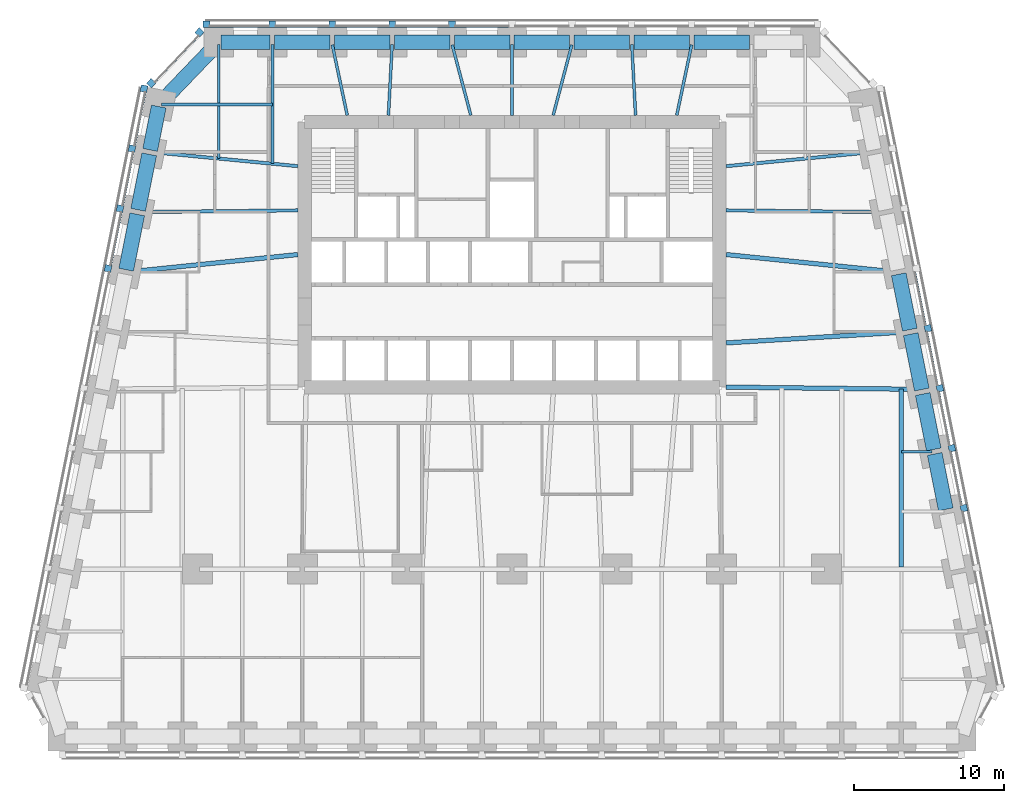
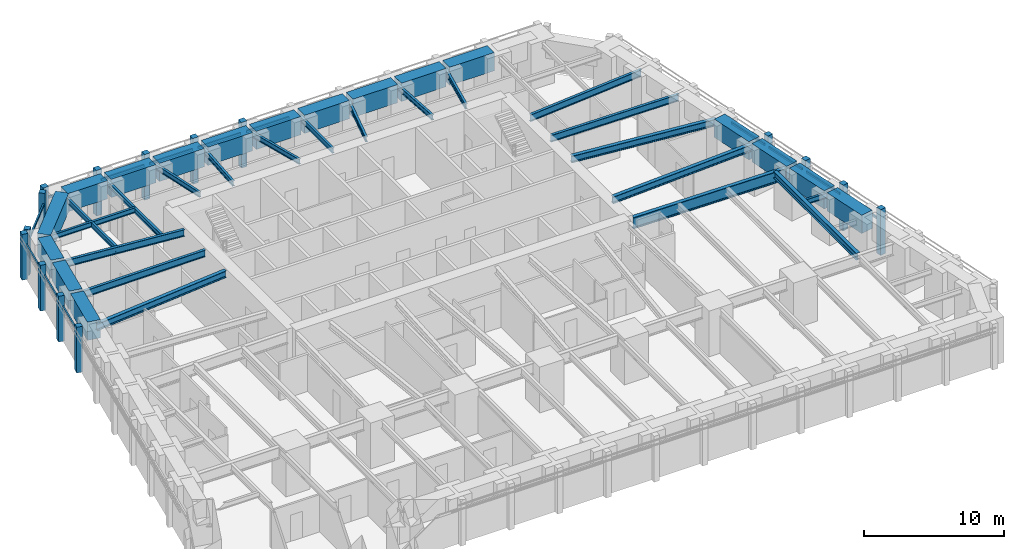
# One storey, part 3 of 10: 37 beams, 28 members, 4 elements without a shape of their own.
"""IFC4 building model written with IfcOpenShell, lengths in metres."""

from ifc_helpers import new_model, si_unit, direction, frame, origin, origin_2d, place, context, subcontext, project, spatial, rectangle, i_section, extrude, material, material_profile, profile_set, type_object, element, aggregate, save


model = new_model("IFC4")

# Units and contexts
model_context = context("Model", 3, precision=1e-05, world=origin(), true_north=direction((0.0, 1.0)))
body_context = subcontext(model_context, "Body", "Model", "MODEL_VIEW")
ifc_project = project(units=[si_unit("LENGTHUNIT", "METRE"), si_unit("AREAUNIT", "SQUARE_METRE"), si_unit("VOLUMEUNIT", "CUBIC_METRE"), si_unit("PLANEANGLEUNIT", "RADIAN"), si_unit("MASSUNIT", "GRAM", prefix="KILO")], contexts=[model_context])

# Site, building, storey
site_placement = place(None, origin())
site = spatial("IfcSite", under=ifc_project, at=site_placement, CompositionType="ELEMENT")
building_placement = place(site_placement, origin())
building = spatial("IfcBuilding", under=site, at=building_placement, Name="Isbrekke Arena Tower", CompositionType="ELEMENT")
storey_placement = place(building_placement, frame((0.0, 0.0, 56.0)))
storey = spatial("IfcBuildingStorey", under=building, at=storey_placement, Name="L11", CompositionType="ELEMENT", Elevation=56.0)

# Beams
ifc_material_1 = material(Name="Steel S355", Category="steel")
ifc_material_profile_1 = material_profile(ifc_material_1, i_section(OverallWidth=0.219970703125, OverallDepth=0.60009765625, WebThickness=0.011962890625, FlangeThickness=0.01904296875, FilletRadius=0.02392578125, at=origin_2d()), Name="IPE 600")
ifc_profile_set_1 = profile_set([ifc_material_profile_1], Name="Steel S355")
beam_type_1 = type_object("IfcBeamType", Name="B1 IPE 600", PredefinedType="BEAM", material=ifc_profile_set_1)
beam_1_placement = place(storey_placement, frame((24.83984375, 17.838134765625, 3.550048828125), z_axis=(-0.999943729589, 0.010608376645, 0.0), x_axis=(-0.010608376645, -0.999943729589, 0.0)))
element("IfcBeam", 1, at=beam_1_placement, inside=storey, type_object=beam_type_1, Name="B1 beam E-E09 L11", PredefinedType="BEAM", context=body_context, shape_type="SweptSolid", body=[
    extrude(i_section(OverallWidth=0.219970703125, OverallDepth=0.60009765625, WebThickness=0.011962890625, FlangeThickness=0.01904296875, FilletRadius=0.02392578125, at=origin_2d()), origin(), (0.0, 0.0, 1.0), 10.540283203125),
])
for number, where, z_axis, x_axis, name in (
    (2, (24.030517578125, 21.837158203125, 3.550048828125), (-0.995393091527, -0.095878012805, 0.0), (0.095878012805, -0.995393091527, 0.0), "B1 beam E-E10 L11"),
    (3, (-24.030517578125, 21.837158203125, 3.550048828125), (0.995393091527, -0.095878012805, 0.0), (0.095878012805, 0.995393091527, 0.0), "B1 beam E-W02 L11"),
):
    element("IfcBeam", number, at=place(storey_placement, frame(where, z_axis=z_axis, x_axis=x_axis)), inside=storey, type_object=beam_type_1, Name=name, PredefinedType="BEAM", context=body_context, shape_type="SweptSolid", body=[
        extrude(i_section(OverallWidth=0.219970703125, OverallDepth=0.60009765625, WebThickness=0.011962890625, FlangeThickness=0.01904296875, FilletRadius=0.02392578125, at=origin_2d()), origin(), (0.0, 0.0, 1.0), 9.775390625),
    ])
beam_2_placement = place(storey_placement, frame((-24.83984375, 17.838134765625, 3.550048828125), z_axis=(0.999943729589, 0.010608376645, 0.0), x_axis=(-0.010608376645, 0.999943729589, 0.0)))
element("IfcBeam", 4, at=beam_2_placement, inside=storey, type_object=beam_type_1, Name="B1 beam E-W03 L11", PredefinedType="BEAM", context=body_context, shape_type="SweptSolid", body=[
    extrude(i_section(OverallWidth=0.219970703125, OverallDepth=0.60009765625, WebThickness=0.011962890625, FlangeThickness=0.01904296875, FilletRadius=0.02392578125, at=origin_2d()), origin(), (0.0, 0.0, 1.0), 10.540283203125),
])
ifc_material_2 = material(Name="Steel S355", Category="steel")
ifc_material_profile_2 = material_profile(ifc_material_2, i_section(OverallWidth=0.18994140625, OverallDepth=0.449951171875, WebThickness=0.009521484375, FlangeThickness=0.0146484375, FilletRadius=0.02099609375, at=origin_2d()), Name="IPE 450")
ifc_profile_set_2 = profile_set([ifc_material_profile_2], Name="Steel S355")
beam_type_2 = type_object("IfcBeamType", Name="B2 IPE 450", PredefinedType="BEAM", material=ifc_profile_set_2)
beam_3_placement = place(storey_placement, frame((28.041015625, 1.838134765625, 3.625), z_axis=(-1.0, 0.0, 0.0), x_axis=(0.0, -1.0, 0.0)))
element("IfcBeam", 5, at=beam_3_placement, inside=storey, type_object=beam_type_2, Name="B2 beam E-E05 L11", PredefinedType="BEAM", context=body_context, shape_type="SweptSolid", body=[
    extrude(i_section(OverallWidth=0.18994140625, OverallDepth=0.449951171875, WebThickness=0.009521484375, FlangeThickness=0.0146484375, FilletRadius=0.02099609375, at=origin_2d()), origin(), (0.0, 0.0, 1.0), 2.041015625),
])
beam_4_placement = place(storey_placement, frame((-23.40283203125, 25.029296875, 3.625), z_axis=(1.0, 0.0, 0.0), x_axis=(0.0, 1.0, 0.0)))
element("IfcBeam", 6, at=beam_4_placement, inside=storey, type_object=beam_type_2, Name="B2 beam E-W01 L11", PredefinedType="BEAM", context=body_context, shape_type="SweptSolid", body=[
    extrude(i_section(OverallWidth=0.18994140625, OverallDepth=0.449951171875, WebThickness=0.009521484375, FlangeThickness=0.0146484375, FilletRadius=0.02099609375, at=origin_2d()), origin(), (0.0, 0.0, 1.0), 7.40283203125),
])
ifc_material_3 = material(Name="Steel S355", Category="steel")
ifc_material_profile_3 = material_profile(ifc_material_3, i_section(OverallWidth=0.18994140625, OverallDepth=0.449951171875, WebThickness=0.009521484375, FlangeThickness=0.0146484375, FilletRadius=0.02099609375, at=origin_2d()), Name="IPE 450")
ifc_profile_set_3 = profile_set([ifc_material_profile_3], Name="Steel S355")
beam_type_3 = type_object("IfcBeamType", Name="B3 IPE 450", PredefinedType="BEAM", material=ifc_profile_set_3)
beam_5_placement = place(storey_placement, frame((-16.0, 29.02490234375, 3.625), z_axis=(0.0, -1.0, 0.0), x_axis=(1.0, 0.0, 0.0)))
element("IfcBeam", 7, at=beam_5_placement, inside=storey, type_object=beam_type_3, Name="B3 beam N-N10 L11", PredefinedType="BEAM", context=body_context, shape_type="SweptSolid", body=[
    extrude(i_section(OverallWidth=0.18994140625, OverallDepth=0.449951171875, WebThickness=0.009521484375, FlangeThickness=0.0146484375, FilletRadius=0.02099609375, at=origin_2d()), origin(), (0.0, 0.0, 1.0), 7.961181640625),
])
beam_6_placement = place(storey_placement, frame((-19.574951171875, 29.02490234375, 3.625), z_axis=(0.0, -1.0, 0.0), x_axis=(1.0, 0.0, 0.0)))
element("IfcBeam", 8, at=beam_6_placement, inside=storey, type_object=beam_type_3, Name="B3 beam N-N11 L11", PredefinedType="BEAM", context=body_context, shape_type="SweptSolid", body=[
    extrude(i_section(OverallWidth=0.18994140625, OverallDepth=0.449951171875, WebThickness=0.009521484375, FlangeThickness=0.0146484375, FilletRadius=0.02099609375, at=origin_2d()), origin(), (0.0, 0.0, 1.0), 7.616943359375),
])
beam_7_placement = place(storey_placement, frame((11.995849609375, 29.005859375, 3.625), z_axis=(-0.207036135686, -0.978333296234, 0.0), x_axis=(0.978333296234, -0.207036135686, 0.0)))
element("IfcBeam", 9, at=beam_7_placement, inside=storey, type_object=beam_type_3, Name="B3 beam N-N03 L11", PredefinedType="BEAM", context=body_context, shape_type="SweptSolid", body=[
    extrude(i_section(OverallWidth=0.18994140625, OverallDepth=0.449951171875, WebThickness=0.009521484375, FlangeThickness=0.0146484375, FilletRadius=0.02099609375, at=origin_2d()), origin(), (0.0, 0.0, 1.0), 4.81005859375),
])
beam_8_placement = place(storey_placement, frame((8.000244140625, 29.02001953125, 3.625), z_axis=(0.05284078094, -0.998602950061, 0.0), x_axis=(0.998602950061, 0.05284078094, 0.0)))
element("IfcBeam", 10, at=beam_8_placement, inside=storey, type_object=beam_type_3, Name="B3 beam N-N04 L11", PredefinedType="BEAM", context=body_context, shape_type="SweptSolid", body=[
    extrude(i_section(OverallWidth=0.18994140625, OverallDepth=0.449951171875, WebThickness=0.009521484375, FlangeThickness=0.0146484375, FilletRadius=0.02099609375, at=origin_2d()), origin(), (0.0, 0.0, 1.0), 4.7265625),
])
beam_9_placement = place(storey_placement, frame((3.993896484375, 29.00146484375, 3.625), z_axis=(-0.255778031922, -0.966735536942, 0.0), x_axis=(0.966735536942, -0.255778031922, 0.0)))
element("IfcBeam", 11, at=beam_9_placement, inside=storey, type_object=beam_type_3, Name="B3 beam N-N05 L11", PredefinedType="BEAM", context=body_context, shape_type="SweptSolid", body=[
    extrude(i_section(OverallWidth=0.18994140625, OverallDepth=0.449951171875, WebThickness=0.009521484375, FlangeThickness=0.0146484375, FilletRadius=0.02099609375, at=origin_2d()), origin(), (0.0, 0.0, 1.0), 4.86328125),
])
beam_10_placement = place(storey_placement, frame((0.0, 29.02490234375, 3.625), z_axis=(0.0, -1.0, 0.0), x_axis=(1.0, 0.0, 0.0)))
element("IfcBeam", 12, at=beam_10_placement, inside=storey, type_object=beam_type_3, Name="B3 beam N-N06 L11", PredefinedType="BEAM", context=body_context, shape_type="SweptSolid", body=[
    extrude(i_section(OverallWidth=0.18994140625, OverallDepth=0.449951171875, WebThickness=0.009521484375, FlangeThickness=0.0146484375, FilletRadius=0.02099609375, at=origin_2d()), origin(), (0.0, 0.0, 1.0), 4.724853515625),
])
beam_11_placement = place(storey_placement, frame((-3.993896484375, 29.00146484375, 3.625), z_axis=(0.255778031922, -0.966735536942, 0.0), x_axis=(0.966735536942, 0.255778031922, 0.0)))
element("IfcBeam", 13, at=beam_11_placement, inside=storey, type_object=beam_type_3, Name="B3 beam N-N07 L11", PredefinedType="BEAM", context=body_context, shape_type="SweptSolid", body=[
    extrude(i_section(OverallWidth=0.18994140625, OverallDepth=0.449951171875, WebThickness=0.009521484375, FlangeThickness=0.0146484375, FilletRadius=0.02099609375, at=origin_2d()), origin(), (0.0, 0.0, 1.0), 4.86328125),
])
beam_12_placement = place(storey_placement, frame((-8.000244140625, 29.02001953125, 3.625), z_axis=(-0.05284078094, -0.998602950061, 0.0), x_axis=(0.998602950061, -0.05284078094, 0.0)))
element("IfcBeam", 14, at=beam_12_placement, inside=storey, type_object=beam_type_3, Name="B3 beam N-N08 L11", PredefinedType="BEAM", context=body_context, shape_type="SweptSolid", body=[
    extrude(i_section(OverallWidth=0.18994140625, OverallDepth=0.449951171875, WebThickness=0.009521484375, FlangeThickness=0.0146484375, FilletRadius=0.02099609375, at=origin_2d()), origin(), (0.0, 0.0, 1.0), 4.7265625),
])
beam_13_placement = place(storey_placement, frame((-11.995849609375, 29.005859375, 3.625), z_axis=(0.207036135686, -0.978333296234, 0.0), x_axis=(0.978333296234, 0.207036135686, 0.0)))
element("IfcBeam", 15, at=beam_13_placement, inside=storey, type_object=beam_type_3, Name="B3 beam N-N09 L11", PredefinedType="BEAM", context=body_context, shape_type="SweptSolid", body=[
    extrude(i_section(OverallWidth=0.18994140625, OverallDepth=0.449951171875, WebThickness=0.009521484375, FlangeThickness=0.0146484375, FilletRadius=0.02099609375, at=origin_2d()), origin(), (0.0, 0.0, 1.0), 4.81005859375),
])
ifc_material_4 = material(Name="Steel S355", Category="steel")
ifc_material_profile_4 = material_profile(ifc_material_4, i_section(OverallWidth=0.300048828125, OverallDepth=0.60009765625, WebThickness=0.015380859375, FlangeThickness=0.030029296875, FilletRadius=0.027099609375, at=origin_2d()), Name="HEB 600")
ifc_profile_set_4 = profile_set([ifc_material_profile_4], Name="Steel S355")
beam_type_4 = type_object("IfcBeamType", Name="B7 HEB 600", PredefinedType="BEAM", material=ifc_profile_set_4)
beam_14_placement = place(storey_placement, frame((26.0, -5.84912109375, 3.550048828125), z_axis=(0.0, 1.0, 0.0), x_axis=(-1.0, 0.0, 0.0)))
element("IfcBeam", 16, at=beam_14_placement, inside=storey, type_object=beam_type_4, Name="B7 beam C-M14 L11", PredefinedType="BEAM", context=body_context, shape_type="SweptSolid", body=[
    extrude(i_section(OverallWidth=0.300048828125, OverallDepth=0.60009765625, WebThickness=0.015380859375, FlangeThickness=0.030029296875, FilletRadius=0.027099609375, at=origin_2d()), origin(), (0.0, 0.0, 1.0), 11.864990234375),
])
beam_15_placement = place(storey_placement, frame((26.431884765625, 9.837646484375, 3.550048828125), z_axis=(-0.998157121592, -0.060682457223, 0.0), x_axis=(0.060682457223, -0.998157121592, 0.0)))
element("IfcBeam", 17, at=beam_15_placement, inside=storey, type_object=beam_type_4, Name="B7 beam E-E07 L11", PredefinedType="BEAM", context=body_context, shape_type="SweptSolid", body=[
    extrude(i_section(OverallWidth=0.300048828125, OverallDepth=0.60009765625, WebThickness=0.015380859375, FlangeThickness=0.030029296875, FilletRadius=0.027099609375, at=origin_2d()), origin(), (0.0, 0.0, 1.0), 12.154296875),
])
for number, where, z_axis, x_axis, name in (
    (18, (25.625732421875, 13.83984375, 3.550048828125), (-0.994794378016, 0.101902627384, 0.0), (-0.101902627384, -0.994794378016, 0.0), "B7 beam E-E08 L11"),
    (19, (-25.625732421875, 13.83984375, 3.550048828125), (0.994794378016, 0.101902627384, 0.0), (-0.101902627384, 0.994794378016, 0.0), "B7 beam E-W04 L11"),
):
    element("IfcBeam", number, at=place(storey_placement, frame(where, z_axis=z_axis, x_axis=x_axis)), inside=storey, type_object=beam_type_4, Name=name, PredefinedType="BEAM", context=body_context, shape_type="SweptSolid", body=[
        extrude(i_section(OverallWidth=0.300048828125, OverallDepth=0.60009765625, WebThickness=0.015380859375, FlangeThickness=0.030029296875, FilletRadius=0.027099609375, at=origin_2d()), origin(), (0.0, 0.0, 1.0), 11.385009765625),
    ])

# Curtain wall, members
ifc_material_5 = material(Name="Glazed aluminium curtain wall", Category="aluminium")
curtain_wall_type = type_object("IfcCurtainWallType", Name="CWL TOWER CURTAIN WALL LOW ZONE", PredefinedType="USERDEFINED", material=ifc_material_5)
curtain_wall_1_placement = place(storey_placement, origin())
curtain_wall_1 = element("IfcCurtainWall", 20, at=curtain_wall_1_placement, inside=storey, type_object=curtain_wall_type, Name="CWL curtain wall L11-E", ObjectType="TOWER CURTAIN WALL LOW ZONE", PredefinedType="USERDEFINED")
ifc_material_6 = material(Name="Aluminium mullion, pale brick slip cladding", Category="masonry")
ifc_material_profile_5 = material_profile(ifc_material_6, rectangle(XDim=0.449951171875, YDim=0.449951171875, at=origin_2d()), Name="PIER 450X450")
ifc_profile_set_5 = profile_set([ifc_material_profile_5], Name="Aluminium mullion, pale brick slip cladding")
member_type_1 = type_object("IfcMemberType", Name="CWL-M PIER MULLION 450 x 450", PredefinedType="MULLION", material=ifc_profile_set_5)
member_1_placement = place(storey_placement, frame((30.167724609375, -1.926513671875, 0.0), z_axis=(0.0, 0.0, 1.0), x_axis=(-0.196116135138, 0.980580675691, 0.0)))
member_1 = element("IfcMember", 21, at=member_1_placement, type_object=member_type_1, Name="CWL-M mullion 4", PredefinedType="MULLION", context=body_context, shape_type="SweptSolid", body=[
    extrude(rectangle(XDim=0.449951171875, YDim=0.449951171875, at=origin_2d()), origin(), (0.0, 0.0, 1.0), 4.0),
])
member_2_placement = place(storey_placement, frame((29.36767578125, 2.073486328125, 0.0), z_axis=(0.0, 0.0, 1.0), x_axis=(-0.196116135138, 0.980580675691, 0.0)))
member_2 = element("IfcMember", 22, at=member_2_placement, type_object=member_type_1, Name="CWL-M mullion 5", PredefinedType="MULLION", context=body_context, shape_type="SweptSolid", body=[
    extrude(rectangle(XDim=0.449951171875, YDim=0.449951171875, at=origin_2d()), origin(), (0.0, 0.0, 1.0), 4.0),
])
member_3_placement = place(storey_placement, frame((28.567626953125, 6.073486328125, 0.0), z_axis=(0.0, 0.0, 1.0), x_axis=(-0.196116135138, 0.980580675691, 0.0)))
member_3 = element("IfcMember", 23, at=member_3_placement, type_object=member_type_1, Name="CWL-M mullion 6", PredefinedType="MULLION", context=body_context, shape_type="SweptSolid", body=[
    extrude(rectangle(XDim=0.449951171875, YDim=0.449951171875, at=origin_2d()), origin(), (0.0, 0.0, 1.0), 4.0),
])
member_4_placement = place(storey_placement, frame((27.767822265625, 10.073486328125, 0.0), z_axis=(0.0, 0.0, 1.0), x_axis=(-0.196116135138, 0.980580675691, 0.0)))
member_4 = element("IfcMember", 24, at=member_4_placement, type_object=member_type_1, Name="CWL-M mullion 7", PredefinedType="MULLION", context=body_context, shape_type="SweptSolid", body=[
    extrude(rectangle(XDim=0.449951171875, YDim=0.449951171875, at=origin_2d()), origin(), (0.0, 0.0, 1.0), 4.0),
])

curtain_wall_2_placement = place(storey_placement, origin())
curtain_wall_2 = element("IfcCurtainWall", 25, at=curtain_wall_2_placement, inside=storey, type_object=curtain_wall_type, Name="CWL curtain wall L11-N", ObjectType="TOWER CURTAIN WALL LOW ZONE", PredefinedType="USERDEFINED")
member_5_placement = place(storey_placement, frame((-4.0, 30.375, 0.0), z_axis=(0.0, 0.0, 1.0), x_axis=(-1.0, 0.0, 0.0)))
member_5 = element("IfcMember", 26, at=member_5_placement, type_object=member_type_1, Name="CWL-M mullion 7", PredefinedType="MULLION", context=body_context, shape_type="SweptSolid", body=[
    extrude(rectangle(XDim=0.449951171875, YDim=0.449951171875, at=origin_2d()), origin(), (0.0, 0.0, 1.0), 4.0),
])
member_6_placement = place(storey_placement, frame((-8.0, 30.375, 0.0), z_axis=(0.0, 0.0, 1.0), x_axis=(-1.0, 0.0, 0.0)))
member_6 = element("IfcMember", 27, at=member_6_placement, type_object=member_type_1, Name="CWL-M mullion 8", PredefinedType="MULLION", context=body_context, shape_type="SweptSolid", body=[
    extrude(rectangle(XDim=0.449951171875, YDim=0.449951171875, at=origin_2d()), origin(), (0.0, 0.0, 1.0), 4.0),
])
member_7_placement = place(storey_placement, frame((-12.0, 30.375, 0.0), z_axis=(0.0, 0.0, 1.0), x_axis=(-1.0, 0.0, 0.0)))
member_7 = element("IfcMember", 28, at=member_7_placement, type_object=member_type_1, Name="CWL-M mullion 9", PredefinedType="MULLION", context=body_context, shape_type="SweptSolid", body=[
    extrude(rectangle(XDim=0.449951171875, YDim=0.449951171875, at=origin_2d()), origin(), (0.0, 0.0, 1.0), 4.0),
])
member_8_placement = place(storey_placement, frame((-16.0, 30.375, 0.0), z_axis=(0.0, 0.0, 1.0), x_axis=(-1.0, 0.0, 0.0)))
member_8 = element("IfcMember", 29, at=member_8_placement, type_object=member_type_1, Name="CWL-M mullion 10", PredefinedType="MULLION", context=body_context, shape_type="SweptSolid", body=[
    extrude(rectangle(XDim=0.449951171875, YDim=0.449951171875, at=origin_2d()), origin(), (0.0, 0.0, 1.0), 4.0),
])
member_9_placement = place(storey_placement, frame((-20.39990234375, 30.375, 0.0), z_axis=(0.0, 0.0, 1.0), x_axis=(-1.0, 0.0, 0.0)))
member_9 = element("IfcMember", 30, at=member_9_placement, type_object=member_type_1, Name="CWL-M mullion 11", PredefinedType="MULLION", context=body_context, shape_type="SweptSolid", body=[
    extrude(rectangle(XDim=0.449951171875, YDim=0.449951171875, at=origin_2d()), origin(), (0.0, 0.0, 1.0), 4.0),
])

curtain_wall_3_placement = place(storey_placement, origin())
curtain_wall_3 = element("IfcCurtainWall", 31, at=curtain_wall_3_placement, inside=storey, type_object=curtain_wall_type, Name="CWL curtain wall L11-NW", ObjectType="TOWER CURTAIN WALL LOW ZONE", PredefinedType="USERDEFINED")
member_10_placement = place(storey_placement, frame((-20.86572265625, 29.83642578125, 0.0), z_axis=(0.0, 0.0, 1.0), x_axis=(-0.68874946192, -0.72499943359, 0.0)))
member_10 = element("IfcMember", 32, at=member_10_placement, type_object=member_type_1, Name="CWL-M mullion 1", PredefinedType="MULLION", context=body_context, shape_type="SweptSolid", body=[
    extrude(rectangle(XDim=0.449951171875, YDim=0.449951171875, at=origin_2d()), origin(), (0.0, 0.0, 1.0), 4.0),
])
member_11_placement = place(storey_placement, frame((-24.087890625, 26.44482421875, 0.0), z_axis=(0.0, 0.0, 1.0), x_axis=(-0.68874946192, -0.72499943359, 0.0)))
member_11 = element("IfcMember", 33, at=member_11_placement, type_object=member_type_1, Name="CWL-M mullion 2", PredefinedType="MULLION", context=body_context, shape_type="SweptSolid", body=[
    extrude(rectangle(XDim=0.449951171875, YDim=0.449951171875, at=origin_2d()), origin(), (0.0, 0.0, 1.0), 4.0),
])

curtain_wall_4_placement = place(storey_placement, origin())
curtain_wall_4 = element("IfcCurtainWall", 34, at=curtain_wall_4_placement, inside=storey, type_object=curtain_wall_type, Name="CWL curtain wall L11-W", ObjectType="TOWER CURTAIN WALL LOW ZONE", PredefinedType="USERDEFINED")
member_12_placement = place(storey_placement, frame((-24.567626953125, 26.073486328125, 0.0), z_axis=(0.0, 0.0, 1.0), x_axis=(-0.196116135138, -0.980580675691, 0.0)))
member_12 = element("IfcMember", 35, at=member_12_placement, type_object=member_type_1, Name="CWL-M mullion 1", PredefinedType="MULLION", context=body_context, shape_type="SweptSolid", body=[
    extrude(rectangle(XDim=0.449951171875, YDim=0.449951171875, at=origin_2d()), origin(), (0.0, 0.0, 1.0), 4.0),
])
member_13_placement = place(storey_placement, frame((-25.36767578125, 22.073486328125, 0.0), z_axis=(0.0, 0.0, 1.0), x_axis=(-0.196116135138, -0.980580675691, 0.0)))
member_13 = element("IfcMember", 36, at=member_13_placement, type_object=member_type_1, Name="CWL-M mullion 2", PredefinedType="MULLION", context=body_context, shape_type="SweptSolid", body=[
    extrude(rectangle(XDim=0.449951171875, YDim=0.449951171875, at=origin_2d()), origin(), (0.0, 0.0, 1.0), 4.0),
])
member_14_placement = place(storey_placement, frame((-26.167724609375, 18.073486328125, 0.0), z_axis=(0.0, 0.0, 1.0), x_axis=(-0.196116135138, -0.980580675691, 0.0)))
member_14 = element("IfcMember", 37, at=member_14_placement, type_object=member_type_1, Name="CWL-M mullion 3", PredefinedType="MULLION", context=body_context, shape_type="SweptSolid", body=[
    extrude(rectangle(XDim=0.449951171875, YDim=0.449951171875, at=origin_2d()), origin(), (0.0, 0.0, 1.0), 4.0),
])
member_15_placement = place(storey_placement, frame((-26.9677734375, 14.073486328125, 0.0), z_axis=(0.0, 0.0, 1.0), x_axis=(-0.196116135138, -0.980580675691, 0.0)))
member_15 = element("IfcMember", 38, at=member_15_placement, type_object=member_type_1, Name="CWL-M mullion 4", PredefinedType="MULLION", context=body_context, shape_type="SweptSolid", body=[
    extrude(rectangle(XDim=0.449951171875, YDim=0.449951171875, at=origin_2d()), origin(), (0.0, 0.0, 1.0), 4.0),
])

# Member
ifc_material_7 = material(Name="Aluminium transom", Category="aluminium")
ifc_material_profile_6 = material_profile(ifc_material_7, rectangle(XDim=0.1201171875, YDim=0.199951171875, at=origin_2d()), Name="TRANSOM 120X200")
ifc_profile_set_6 = profile_set([ifc_material_profile_6], Name="Aluminium transom")
member_type_2 = type_object("IfcMemberType", Name="CWL-T TRANSOM 120 x 200", PredefinedType="USERDEFINED", material=ifc_profile_set_6)
member_16_placement = place(storey_placement, frame((30.0009765625, -1.730224609375, 3.0), z_axis=(-0.196103197847, 0.98058326306, 0.0), x_axis=(-0.98058326306, -0.196103197847, 0.0)))
member_16 = element("IfcMember", 39, at=member_16_placement, type_object=member_type_2, Name="CWL-T transom 4", ObjectType="TRANSOM", PredefinedType="USERDEFINED", context=body_context, shape_type="SweptSolid", body=[
    extrude(rectangle(XDim=0.1201171875, YDim=0.199951171875, at=origin_2d()), origin(), (0.0, 0.0, 1.0), 3.629150390625),
])

member_17_placement = place(storey_placement, frame((29.200927734375, 2.269775390625, 3.0), z_axis=(-0.196103197847, 0.98058326306, 0.0), x_axis=(-0.98058326306, -0.196103197847, 0.0)))
member_17 = element("IfcMember", 40, at=member_17_placement, type_object=member_type_2, Name="CWL-T transom 5", ObjectType="TRANSOM", PredefinedType="USERDEFINED", context=body_context, shape_type="SweptSolid", body=[
    extrude(rectangle(XDim=0.1201171875, YDim=0.199951171875, at=origin_2d()), origin(), (0.0, 0.0, 1.0), 3.629150390625),
])

member_18_placement = place(storey_placement, frame((28.401123046875, 6.269775390625, 3.0), z_axis=(-0.196167883278, 0.980570324643, 0.0), x_axis=(-0.980570324643, -0.196167883278, 0.0)))
member_18 = element("IfcMember", 41, at=member_18_placement, type_object=member_type_2, Name="CWL-T transom 6", ObjectType="TRANSOM", PredefinedType="USERDEFINED", context=body_context, shape_type="SweptSolid", body=[
    extrude(rectangle(XDim=0.1201171875, YDim=0.199951171875, at=origin_2d()), origin(), (0.0, 0.0, 1.0), 3.629150390625),
])

member_19_placement = place(storey_placement, frame((27.60107421875, 10.269775390625, 3.0), z_axis=(-0.196167883278, 0.980570324643, 0.0), x_axis=(-0.980570324643, -0.196167883278, 0.0)))
member_19 = element("IfcMember", 42, at=member_19_placement, type_object=member_type_2, Name="CWL-T transom 7", ObjectType="TRANSOM", PredefinedType="USERDEFINED", context=body_context, shape_type="SweptSolid", body=[
    extrude(rectangle(XDim=0.1201171875, YDim=0.199951171875, at=origin_2d()), origin(), (0.0, 0.0, 1.0), 3.629150390625),
])

aggregate(curtain_wall_1, [member_1, member_2, member_3, member_4, member_16, member_17, member_18, member_19])

member_20_placement = place(storey_placement, frame((-0.22509765625, 30.25, 3.0), z_axis=(-1.0, 0.0, 0.0), x_axis=(0.0, -1.0, 0.0)))
member_20 = element("IfcMember", 43, at=member_20_placement, type_object=member_type_2, Name="CWL-T transom 6", ObjectType="TRANSOM", PredefinedType="USERDEFINED", context=body_context, shape_type="SweptSolid", body=[
    extrude(rectangle(XDim=0.1201171875, YDim=0.199951171875, at=origin_2d()), origin(), (0.0, 0.0, 1.0), 3.5498046875),
])

member_21_placement = place(storey_placement, frame((-4.22509765625, 30.25, 3.0), z_axis=(-1.0, 0.0, 0.0), x_axis=(0.0, -1.0, 0.0)))
member_21 = element("IfcMember", 44, at=member_21_placement, type_object=member_type_2, Name="CWL-T transom 7", ObjectType="TRANSOM", PredefinedType="USERDEFINED", context=body_context, shape_type="SweptSolid", body=[
    extrude(rectangle(XDim=0.1201171875, YDim=0.199951171875, at=origin_2d()), origin(), (0.0, 0.0, 1.0), 3.5498046875),
])

member_22_placement = place(storey_placement, frame((-8.22509765625, 30.25, 3.0), z_axis=(-1.0, 0.0, 0.0), x_axis=(0.0, -1.0, 0.0)))
member_22 = element("IfcMember", 45, at=member_22_placement, type_object=member_type_2, Name="CWL-T transom 8", ObjectType="TRANSOM", PredefinedType="USERDEFINED", context=body_context, shape_type="SweptSolid", body=[
    extrude(rectangle(XDim=0.1201171875, YDim=0.199951171875, at=origin_2d()), origin(), (0.0, 0.0, 1.0), 3.5498046875),
])

member_23_placement = place(storey_placement, frame((-12.22509765625, 30.25, 3.0), z_axis=(-1.0, 0.0, 0.0), x_axis=(0.0, -1.0, 0.0)))
member_23 = element("IfcMember", 46, at=member_23_placement, type_object=member_type_2, Name="CWL-T transom 9", ObjectType="TRANSOM", PredefinedType="USERDEFINED", context=body_context, shape_type="SweptSolid", body=[
    extrude(rectangle(XDim=0.1201171875, YDim=0.199951171875, at=origin_2d()), origin(), (0.0, 0.0, 1.0), 3.5498046875),
])

member_24_placement = place(storey_placement, frame((-16.22509765625, 30.25, 3.0), z_axis=(-1.0, 0.0, 0.0), x_axis=(0.0, -1.0, 0.0)))
member_24 = element("IfcMember", 47, at=member_24_placement, type_object=member_type_2, Name="CWL-T transom 10", ObjectType="TRANSOM", PredefinedType="USERDEFINED", context=body_context, shape_type="SweptSolid", body=[
    extrude(rectangle(XDim=0.1201171875, YDim=0.199951171875, at=origin_2d()), origin(), (0.0, 0.0, 1.0), 3.949951171875),
])

aggregate(curtain_wall_2, [member_5, member_6, member_7, member_8, member_9, member_20, member_21, member_22, member_23, member_24])

member_25_placement = place(storey_placement, frame((-20.93017578125, 29.587158203125, 3.0), z_axis=(-0.6887433918, -0.725005200155, 0.0), x_axis=(0.725005200155, -0.6887433918, 0.0)))
member_25 = element("IfcMember", 48, at=member_25_placement, type_object=member_type_2, Name="CWL-T transom 1", ObjectType="TRANSOM", PredefinedType="USERDEFINED", context=body_context, shape_type="SweptSolid", body=[
    extrude(rectangle(XDim=0.1201171875, YDim=0.199951171875, at=origin_2d()), origin(), (0.0, 0.0, 1.0), 4.22802734375),
])

aggregate(curtain_wall_3, [member_10, member_11, member_25])

member_26_placement = place(storey_placement, frame((-24.4892578125, 25.828369140625, 3.0), z_axis=(-0.196103197847, -0.98058326306, 0.0), x_axis=(0.98058326306, -0.196103197847, 0.0)))
member_26 = element("IfcMember", 49, at=member_26_placement, type_object=member_type_2, Name="CWL-T transom 1", ObjectType="TRANSOM", PredefinedType="USERDEFINED", context=body_context, shape_type="SweptSolid", body=[
    extrude(rectangle(XDim=0.1201171875, YDim=0.199951171875, at=origin_2d()), origin(), (0.0, 0.0, 1.0), 3.629150390625),
])

member_27_placement = place(storey_placement, frame((-25.289306640625, 21.828369140625, 3.0), z_axis=(-0.196103197847, -0.98058326306, 0.0), x_axis=(0.98058326306, -0.196103197847, 0.0)))
member_27 = element("IfcMember", 50, at=member_27_placement, type_object=member_type_2, Name="CWL-T transom 2", ObjectType="TRANSOM", PredefinedType="USERDEFINED", context=body_context, shape_type="SweptSolid", body=[
    extrude(rectangle(XDim=0.1201171875, YDim=0.199951171875, at=origin_2d()), origin(), (0.0, 0.0, 1.0), 3.629150390625),
])

member_28_placement = place(storey_placement, frame((-26.08935546875, 17.828369140625, 3.0), z_axis=(-0.196103197847, -0.98058326306, 0.0), x_axis=(0.98058326306, -0.196103197847, 0.0)))
member_28 = element("IfcMember", 51, at=member_28_placement, type_object=member_type_2, Name="CWL-T transom 3", ObjectType="TRANSOM", PredefinedType="USERDEFINED", context=body_context, shape_type="SweptSolid", body=[
    extrude(rectangle(XDim=0.1201171875, YDim=0.199951171875, at=origin_2d()), origin(), (0.0, 0.0, 1.0), 3.629150390625),
])

aggregate(curtain_wall_4, [member_12, member_13, member_14, member_15, member_26, member_27, member_28])

# Beams
ifc_material_8 = material(Name="Steel S355", Category="steel")
ifc_material_profile_7 = material_profile(ifc_material_8, i_section(OverallWidth=0.302001953125, OverallDepth=1.008056640625, WebThickness=0.02099609375, FlangeThickness=0.0400390625, FilletRadius=0.030029296875, at=origin_2d()), Name="HEM 1000")
ifc_profile_set_7 = profile_set([ifc_material_profile_7], Name="Steel S355")
beam_type_5 = type_object("IfcBeamType", Name="G2 HEM 1000", PredefinedType="BEAM", material=ifc_profile_set_7)
beam_16_placement = place(storey_placement, frame((14.300048828125, 6.14990234375, 3.345947265625), z_axis=(0.999934429634, -0.011451481699, 0.0), x_axis=(0.011451481699, 0.999934429634, 0.0)))
element("IfcBeam", 52, at=beam_16_placement, inside=storey, type_object=beam_type_5, Name="G2 beam G2-E L11", PredefinedType="BEAM", context=body_context, shape_type="SweptSolid", body=[
    extrude(i_section(OverallWidth=0.302001953125, OverallDepth=1.008056640625, WebThickness=0.02099609375, FlangeThickness=0.0400390625, FilletRadius=0.030029296875, at=origin_2d()), origin(), (0.0, 0.0, 1.0), 13.09033203125),
])
ifc_material_9 = material(Name="Concrete B90 (C90/105)", Category="concrete")
ifc_material_profile_8 = material_profile(ifc_material_9, rectangle(XDim=1.0, YDim=1.60009765625, at=origin_2d()), Name="RC 1000x1600")
ifc_profile_set_8 = profile_set([ifc_material_profile_8], Name="Concrete B90 (C90/105)")
beam_type_6 = type_object("IfcBeamType", Name="SB1 RC 1000 x 1600", PredefinedType="SPANDREL", material=ifc_profile_set_8)
for number, where, z_axis, x_axis, name in (
    (53, (28.961669921875, -2.0146484375, 3.199951171875), (-0.196128558387, 0.980578190959, 0.0), (-0.980578190959, -0.196128558387, 0.0), "SB1 spandrel E04-E05 L11"),
    (54, (28.16162109375, 1.9853515625, 3.199951171875), (-0.196128558387, 0.980578190959, 0.0), (-0.980578190959, -0.196128558387, 0.0), "SB1 spandrel E05-E06 L11"),
    (55, (27.361572265625, 5.9853515625, 3.199951171875), (-0.196128558387, 0.980578190959, 0.0), (-0.980578190959, -0.196128558387, 0.0), "SB1 spandrel E06-E07 L11"),
):
    element("IfcBeam", number, at=place(storey_placement, frame(where, z_axis=z_axis, x_axis=x_axis)), inside=storey, type_object=beam_type_6, Name=name, PredefinedType="SPANDREL", context=body_context, shape_type="SweptSolid", body=[
        extrude(rectangle(XDim=1.0, YDim=1.60009765625, at=origin_2d()), origin(), (0.0, 0.0, 1.0), 3.779296875),
    ])
beam_17_placement = place(storey_placement, frame((26.5615234375, 9.9853515625, 3.199951171875), z_axis=(-0.1960664412, 0.980590613169, 0.0), x_axis=(-0.980590613169, -0.1960664412, 0.0)))
element("IfcBeam", 56, at=beam_17_placement, inside=storey, type_object=beam_type_6, Name="SB1 spandrel E07-E08 L11", PredefinedType="SPANDREL", context=body_context, shape_type="SweptSolid", body=[
    extrude(rectangle(XDim=1.0, YDim=1.60009765625, at=origin_2d()), origin(), (0.0, 0.0, 1.0), 3.779052734375),
])
for number, where, z_axis, x_axis, name in (
    (57, (15.85009765625, 29.175048828125, 3.199951171875), (-1.0, 0.0, 0.0), (0.0, -1.0, 0.0), "SB1 spandrel N02-N03 L11"),
    (58, (11.85009765625, 29.175048828125, 3.199951171875), (-1.0, 0.0, 0.0), (0.0, -1.0, 0.0), "SB1 spandrel N03-N04 L11"),
    (59, (7.85009765625, 29.175048828125, 3.199951171875), (-1.0, 0.0, 0.0), (0.0, -1.0, 0.0), "SB1 spandrel N04-N05 L11"),
    (60, (3.85009765625, 29.175048828125, 3.199951171875), (-1.0, 0.0, 0.0), (0.0, -1.0, 0.0), "SB1 spandrel N05-N06 L11"),
    (61, (-0.14990234375, 29.175048828125, 3.199951171875), (-1.0, 0.0, 0.0), (0.0, -1.0, 0.0), "SB1 spandrel N06-N07 L11"),
    (62, (-4.14990234375, 29.175048828125, 3.199951171875), (-1.0, 0.0, 0.0), (0.0, -1.0, 0.0), "SB1 spandrel N07-N08 L11"),
    (63, (-8.14990234375, 29.175048828125, 3.199951171875), (-1.0, 0.0, 0.0), (0.0, -1.0, 0.0), "SB1 spandrel N08-N09 L11"),
    (64, (-12.14990234375, 29.175048828125, 3.199951171875), (-1.0, 0.0, 0.0), (0.0, -1.0, 0.0), "SB1 spandrel N09-N10 L11"),
):
    element("IfcBeam", number, at=place(storey_placement, frame(where, z_axis=z_axis, x_axis=x_axis)), inside=storey, type_object=beam_type_6, Name=name, PredefinedType="SPANDREL", context=body_context, shape_type="SweptSolid", body=[
        extrude(rectangle(XDim=1.0, YDim=1.60009765625, at=origin_2d()), origin(), (0.0, 0.0, 1.0), 3.7001953125),
    ])
beam_18_placement = place(storey_placement, frame((-16.14990234375, 29.175048828125, 3.199951171875), z_axis=(-1.0, 0.0, 0.0), x_axis=(0.0, -1.0, 0.0)))
element("IfcBeam", 65, at=beam_18_placement, inside=storey, type_object=beam_type_6, Name="SB1 spandrel N10-N11 L11", PredefinedType="SPANDREL", context=body_context, shape_type="SweptSolid", body=[
    extrude(rectangle(XDim=1.0, YDim=1.60009765625, at=origin_2d()), origin(), (0.0, 0.0, 1.0), 3.275146484375),
])
beam_19_placement = place(storey_placement, frame((-19.678955078125, 29.066650390625, 3.199951171875), z_axis=(-0.692339547635, -0.721571861134, 0.0), x_axis=(0.721571861134, -0.692339547635, 0.0)))
element("IfcBeam", 66, at=beam_19_placement, inside=storey, type_object=beam_type_6, Name="SB1 spandrel N11-W01 L11", PredefinedType="SPANDREL", context=body_context, shape_type="SweptSolid", body=[
    extrude(rectangle(XDim=1.0, YDim=1.60009765625, at=origin_2d()), origin(), (0.0, 0.0, 1.0), 5.4453125),
])
beam_20_placement = place(storey_placement, frame((-23.582275390625, 24.882080078125, 3.199951171875), z_axis=(-0.196116135138, -0.980580675691, 0.0), x_axis=(0.980580675691, -0.196116135138, 0.0)))
element("IfcBeam", 67, at=beam_20_placement, inside=storey, type_object=beam_type_6, Name="SB1 spandrel W01-W02 L11", PredefinedType="SPANDREL", context=body_context, shape_type="SweptSolid", body=[
    extrude(rectangle(XDim=1.0, YDim=1.60009765625, at=origin_2d()), origin(), (0.0, 0.0, 1.0), 2.9541015625),
])
for number, where, z_axis, x_axis, name in (
    (68, (-24.220458984375, 21.691162109375, 3.199951171875), (-0.196128558387, -0.980578190959, 0.0), (0.980578190959, -0.196128558387, 0.0), "SB1 spandrel W02-W03 L11"),
    (69, (-25.0205078125, 17.691162109375, 3.199951171875), (-0.196128558387, -0.980578190959, 0.0), (0.980578190959, -0.196128558387, 0.0), "SB1 spandrel W03-W04 L11"),
):
    element("IfcBeam", number, at=place(storey_placement, frame(where, z_axis=z_axis, x_axis=x_axis)), inside=storey, type_object=beam_type_6, Name=name, PredefinedType="SPANDREL", context=body_context, shape_type="SweptSolid", body=[
        extrude(rectangle(XDim=1.0, YDim=1.60009765625, at=origin_2d()), origin(), (0.0, 0.0, 1.0), 3.779296875),
    ])

save(model, "model.ifc")
